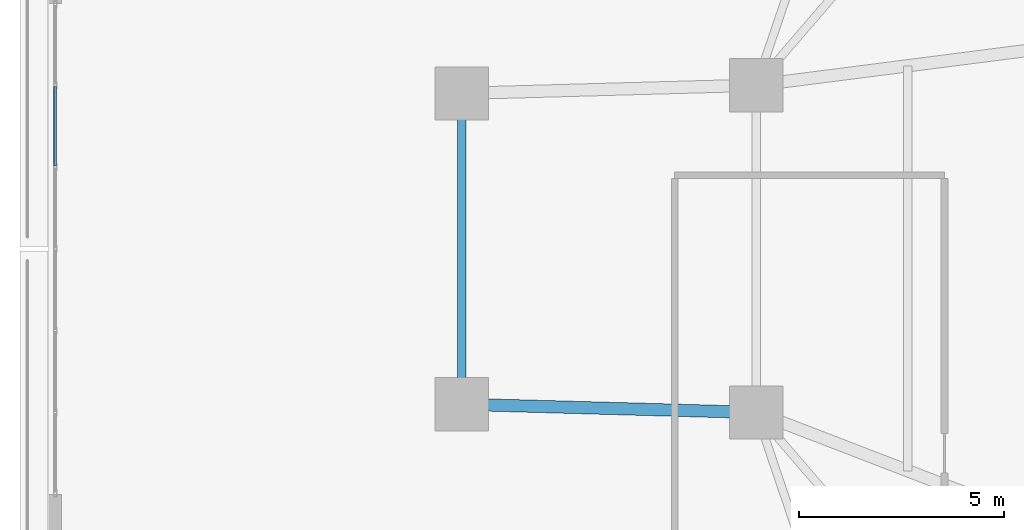
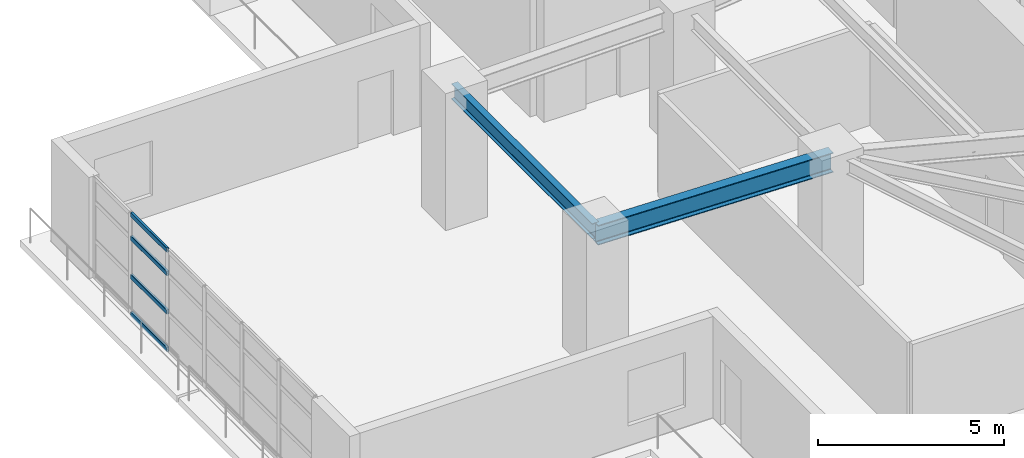
# One storey, part 8 of 24: 4 members, 2 beams, 1 element without a shape of its own.
"""IFC4 building model written with IfcOpenShell, lengths in metres."""

from ifc_helpers import new_model, si_unit, direction, frame, origin, origin_2d, place, context, subcontext, project, spatial, hollow_rectangle, i_section, extrude, material, layer, layer_set, material_profile, profile_set, type_object, element, aggregate, save


model = new_model("IFC4")

# Units and contexts
model_context = context("Model", 3, precision=1e-05, world=origin(), true_north=direction((0.0, 1.0)))
body_context = subcontext(model_context, "Body", "Model", "MODEL_VIEW")
ifc_project = project(units=[si_unit("LENGTHUNIT", "METRE"), si_unit("AREAUNIT", "SQUARE_METRE"), si_unit("VOLUMEUNIT", "CUBIC_METRE"), si_unit("PLANEANGLEUNIT", "RADIAN"), si_unit("MASSUNIT", "GRAM", prefix="KILO")], contexts=[model_context])

# Site, building, storey
site_placement = place(None, origin())
site = spatial("IfcSite", under=ifc_project, at=site_placement, CompositionType="ELEMENT")
building_placement = place(site_placement, origin())
building = spatial("IfcBuilding", under=site, at=building_placement, Name="Qingluan Cross Belvedere", CompositionType="ELEMENT")
storey_placement = place(building_placement, frame((0.0, 0.0, 14.699951171875)))
storey = spatial("IfcBuildingStorey", under=building, at=storey_placement, Name="L04", CompositionType="ELEMENT", Elevation=14.699951171875)

# Curtain wall, members
ifc_material_1 = material(Name="Thermally broken aluminium and Low-E glass", Category="aluminium")
ifc_layer = layer(ifc_material_1, 0.219970703125, Name="UnitisedCW_BallroomFoyer")
ifc_layer_set = layer_set([ifc_layer], Name="Thermally broken aluminium and Low-E glass")
curtain_wall_type = type_object("IfcCurtainWallType", Name="UnitisedCW_BallroomFoyer", PredefinedType="USERDEFINED", material=ifc_layer_set)
curtain_wall_placement = place(storey_placement, origin())
curtain_wall = element("IfcCurtainWall", 1, at=curtain_wall_placement, inside=storey, type_object=curtain_wall_type, Name="UnitisedCW_BallroomFoyer run env:cw:L04:W", ObjectType="UNITISED CURTAIN WALL", PredefinedType="USERDEFINED")
ifc_material_2 = material(Name="Aluminium alloy 6063-T6", Category="aluminium")
ifc_material_profile_1 = material_profile(ifc_material_2, hollow_rectangle(XDim=0.074951171875, YDim=0.14990234375, WallThickness=0.00390625, InnerFilletRadius=0.00390625, OuterFilletRadius=0.008056640625, at=origin_2d()), Name="CWT150x75x4")
ifc_profile_set_1 = profile_set([ifc_material_profile_1], Name="Aluminium alloy 6063-T6")
member_type = type_object("IfcMemberType", Name="CWTransom_150", PredefinedType="USERDEFINED", material=ifc_profile_set_1)
member_1_placement = place(storey_placement, frame((-36.93994140625, 2.030029296875, 0.030029296875), z_axis=(0.0, 1.0, 0.0), x_axis=(-1.0, 0.0, 0.0)))
member_1 = element("IfcMember", 2, at=member_1_placement, type_object=member_type, Name="CW-P2 transom 5.1", ObjectType="TRANSOM", PredefinedType="USERDEFINED", context=body_context, shape_type="SweptSolid", body=[
    extrude(hollow_rectangle(XDim=0.074951171875, YDim=0.14990234375, WallThickness=0.00390625, InnerFilletRadius=0.00390625, OuterFilletRadius=0.008056640625, at=origin_2d()), origin(), (0.0, 0.0, 1.0), 1.93994140625),
])
member_2_placement = place(storey_placement, frame((-36.93994140625, 2.030029296875, 1.26513671875), z_axis=(0.0, 1.0, 0.0), x_axis=(-1.0, 0.0, 0.0)))
member_2 = element("IfcMember", 3, at=member_2_placement, type_object=member_type, Name="CW-P2 transom 5.2", ObjectType="TRANSOM", PredefinedType="USERDEFINED", context=body_context, shape_type="SweptSolid", body=[
    extrude(hollow_rectangle(XDim=0.074951171875, YDim=0.14990234375, WallThickness=0.00390625, InnerFilletRadius=0.00390625, OuterFilletRadius=0.008056640625, at=origin_2d()), origin(), (0.0, 0.0, 1.0), 1.93994140625),
])
member_3_placement = place(storey_placement, frame((-36.93994140625, 2.030029296875, 2.531005859375), z_axis=(0.0, 1.0, 0.0), x_axis=(-1.0, 0.0, 0.0)))
member_3 = element("IfcMember", 4, at=member_3_placement, type_object=member_type, Name="CW-P2 transom 5.3", ObjectType="TRANSOM", PredefinedType="USERDEFINED", context=body_context, shape_type="SweptSolid", body=[
    extrude(hollow_rectangle(XDim=0.074951171875, YDim=0.14990234375, WallThickness=0.00390625, InnerFilletRadius=0.00390625, OuterFilletRadius=0.008056640625, at=origin_2d()), origin(), (0.0, 0.0, 1.0), 1.93994140625),
])
member_4_placement = place(storey_placement, frame((-36.93994140625, 2.030029296875, 3.300048828125), z_axis=(0.0, 1.0, 0.0), x_axis=(-1.0, 0.0, 0.0)))
member_4 = element("IfcMember", 5, at=member_4_placement, type_object=member_type, Name="CW-P2 transom 5.4", ObjectType="TRANSOM", PredefinedType="USERDEFINED", context=body_context, shape_type="SweptSolid", body=[
    extrude(hollow_rectangle(XDim=0.074951171875, YDim=0.14990234375, WallThickness=0.00390625, InnerFilletRadius=0.00390625, OuterFilletRadius=0.008056640625, at=origin_2d()), origin(), (0.0, 0.0, 1.0), 1.93994140625),
])
aggregate(curtain_wall, [member_1, member_2, member_3, member_4])

# Beams
ifc_material_3 = material(Name="Steel Q420GJB", Category="steel")
ifc_material_profile_2 = material_profile(ifc_material_3, i_section(OverallWidth=0.199951171875, OverallDepth=0.5, WebThickness=0.010009765625, FlangeThickness=0.01611328125, FilletRadius=0.01611328125, at=origin_2d()), Name="HN500x200x10x16")
ifc_profile_set_2 = profile_set([ifc_material_profile_2], Name="Steel Q420GJB")
beam_type_1 = type_object("IfcBeamType", Name="Steel_Beam_HN500x200x10x16", PredefinedType="JOIST", material=ifc_profile_set_2)
beam_1_placement = place(storey_placement, frame((-27.0, -3.800048828125, 4.0), z_axis=(0.0, 1.0, 0.0), x_axis=(-1.0, 0.0, 0.0)))
element("IfcBeam", 6, at=beam_1_placement, inside=storey, type_object=beam_type_1, Name="Arm W tip transverse beam L04", PredefinedType="JOIST", context=body_context, shape_type="SweptSolid", body=[
    extrude(i_section(OverallWidth=0.199951171875, OverallDepth=0.5, WebThickness=0.010009765625, FlangeThickness=0.01611328125, FilletRadius=0.01611328125, at=origin_2d()), origin(), (0.0, 0.0, 1.0), 7.60009765625),
])
ifc_material_4 = material(Name="Steel Q420GJB", Category="steel")
ifc_material_profile_3 = material_profile(ifc_material_4, i_section(OverallWidth=0.300048828125, OverallDepth=0.64990234375, WebThickness=0.014404296875, FlangeThickness=0.02587890625, FilletRadius=0.027099609375, at=origin_2d()), Name="HEB650")
ifc_profile_set_3 = profile_set([ifc_material_profile_3], Name="Steel Q420GJB")
beam_type_2 = type_object("IfcBeamType", Name="Steel_Girder_HEB650", PredefinedType="USERDEFINED", material=ifc_profile_set_3)
beam_2_placement = place(storey_placement, frame((-19.800048828125, -4.0, 3.925048828125), z_axis=(-0.999614603568, 0.027760481514, 0.0), x_axis=(-0.027760481514, -0.999614603568, 0.0)))
element("IfcBeam", 7, at=beam_2_placement, inside=storey, type_object=beam_type_2, Name="Arm W outer radial girder A L04", ObjectType="GIRDER", PredefinedType="USERDEFINED", context=body_context, shape_type="SweptSolid", body=[
    extrude(i_section(OverallWidth=0.300048828125, OverallDepth=0.64990234375, WebThickness=0.014404296875, FlangeThickness=0.02587890625, FilletRadius=0.027099609375, at=origin_2d()), origin(), (0.0, 0.0, 1.0), 7.20263671875),
])

save(model, "model.ifc")
